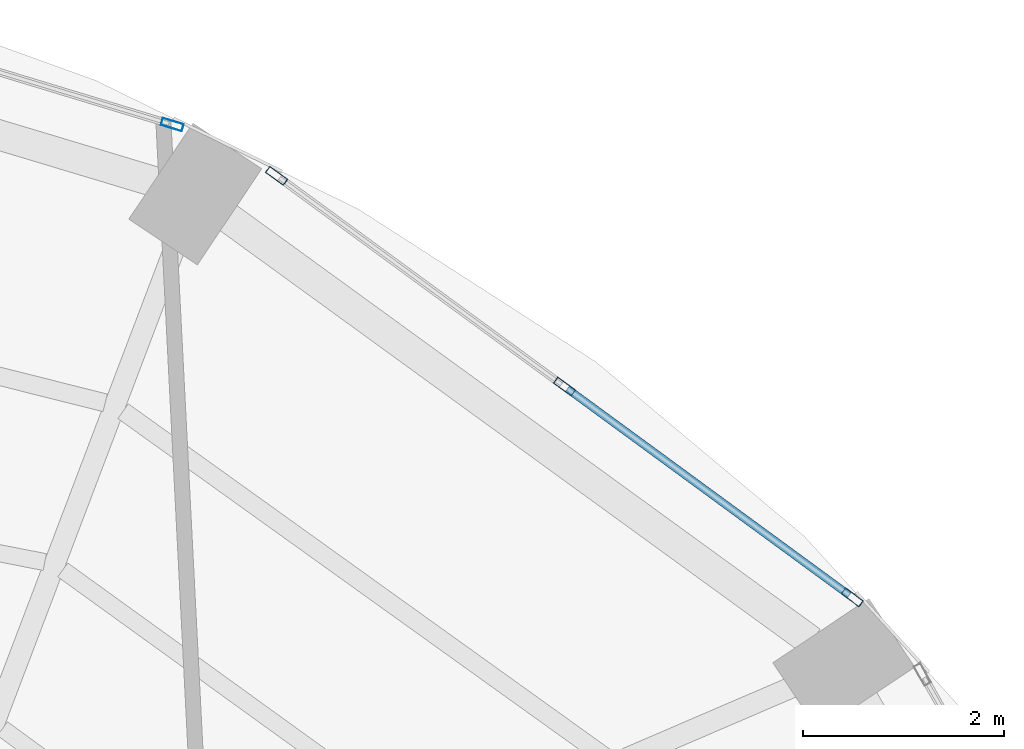
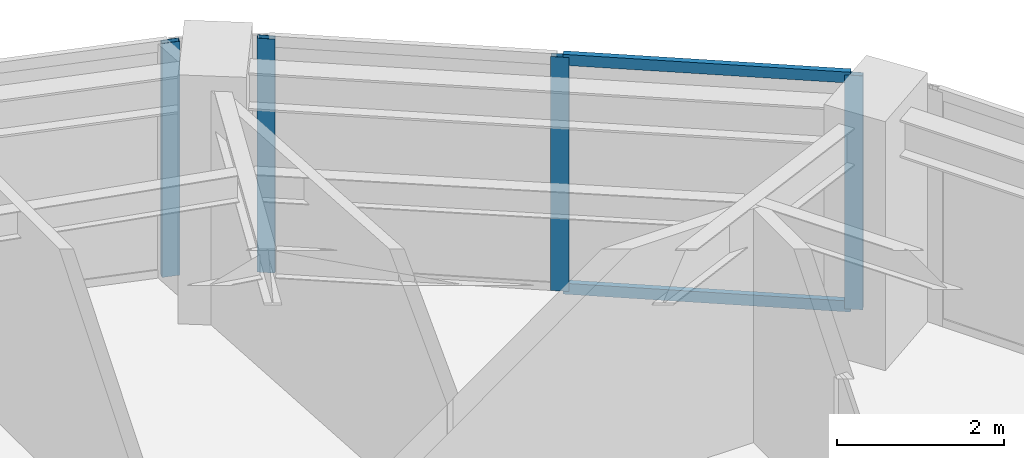
# One storey, part 14 of 20: 6 members, 2 elements without a shape of their own.
"""IFC4 building model written with IfcOpenShell, lengths in metres."""

import ifcopenshell
import ifcopenshell.guid

model = None  # the IFC model being written
_history = None  # IfcOwnerHistory: only IFC2X3 demands one
_inside = {}  # id of a spatial element -> (the spatial element, [elements in it])
_under = {}  # id of a project, library or spatial element -> (it, [spatial elements below it])
_declared = {}  # id of a project -> (the project, [libraries it declares])
_typed = {}  # id of a type object -> (the type object, [elements of that type])
_made_of = {}  # id of a material, layer set ... -> (it, [elements and type objects made of it])


def new_model(schema):
    """Start an empty IFC model of exactly this schema.

    Asked for "IFC4X3", IfcOpenShell would pick the latest addendum, in which some entities
    have other attributes; the version numbers below select the first issue.
    IFC2X3 requires an IfcOwnerHistory on every rooted entity: one is made here for all.
    """
    global model, _history
    if schema == "IFC4X3":
        model = ifcopenshell.file(schema_version=(4, 3, 0, 0))
    else:
        model = ifcopenshell.file(schema=schema)
    _inside.clear()
    _under.clear()
    _declared.clear()
    _typed.clear()
    _made_of.clear()
    _history = None
    if model.schema == "IFC2X3":
        org = make("IfcOrganization", Name="unknown")
        user = make(
            "IfcPersonAndOrganization",
            ThePerson=make("IfcPerson", FamilyName="unknown"),
            TheOrganization=org,
        )
        app = make(
            "IfcApplication",
            ApplicationDeveloper=org,
            Version="unknown",
            ApplicationFullName="unknown",
            ApplicationIdentifier="unknown",
        )
        _history = make(
            "IfcOwnerHistory",
            OwningUser=user,
            OwningApplication=app,
            ChangeAction="ADDED",
            CreationDate=0,
        )
    return model


def make(cls, **values):
    """One entity of the class cls with the attributes given. An attribute that is None is left unset."""
    return model.create_entity(
        cls, **{name: value for name, value in values.items() if value is not None}
    )


def rooted(cls, **values):
    """An entity with a GlobalId (a new one), such as an element, a storey or a relation."""
    return make(cls, GlobalId=ifcopenshell.guid.new(), OwnerHistory=_history, **values)


def si_unit(unit_type, name, prefix=None):
    """IfcSIUnit, for example si_unit("LENGTHUNIT", "METRE", prefix="MILLI")."""
    return make("IfcSIUnit", UnitType=unit_type, Prefix=prefix, Name=name)


def assignment(units):
    """IfcUnitAssignment: the units of a project."""
    return None if units is None else make("IfcUnitAssignment", Units=units)


def point(xyz):
    """IfcCartesianPoint."""
    return None if xyz is None else make("IfcCartesianPoint", Coordinates=xyz)


def direction(xyz):
    """IfcDirection."""
    return None if xyz is None else make("IfcDirection", DirectionRatios=xyz)


def frame(location, z_axis=None, x_axis=None):
    """IfcAxis2Placement3D, a coordinate frame: its origin and axes. An axis left out is left unset."""
    return make(
        "IfcAxis2Placement3D",
        Location=point(location),
        Axis=direction(z_axis),
        RefDirection=direction(x_axis),
    )


def frame_2d(location, x_axis=None):
    """IfcAxis2Placement2D, a coordinate frame in the plane: its origin and x axis."""
    return make(
        "IfcAxis2Placement2D", Location=point(location), RefDirection=direction(x_axis)
    )


def origin():
    """The frame at (0, 0, 0) with its axes left unset."""
    return frame((0.0, 0.0, 0.0))


def origin_2d():
    """The frame at (0, 0) in the plane with its x axis left unset."""
    return frame_2d((0.0, 0.0))


def place(relative_to, where):
    """IfcLocalPlacement: puts the frame where relative to a parent placement (None: the world)."""
    return make(
        "IfcLocalPlacement", PlacementRelTo=relative_to, RelativePlacement=where
    )


def context(
    kind, dimensions, precision=None, world=None, true_north=None, identifier=None
):
    """IfcGeometricRepresentationContext, for example the 3D "Model" context."""
    return make(
        "IfcGeometricRepresentationContext",
        ContextIdentifier=identifier,
        ContextType=kind,
        CoordinateSpaceDimension=dimensions,
        Precision=precision,
        WorldCoordinateSystem=world,
        TrueNorth=true_north,
    )


def subcontext(parent, identifier, kind, view, scale=None):
    """IfcGeometricRepresentationSubContext, for example "Body" below "Model"."""
    return make(
        "IfcGeometricRepresentationSubContext",
        ContextIdentifier=identifier,
        ContextType=kind,
        ParentContext=parent,
        TargetScale=scale,
        TargetView=view,
    )


def project(units=None, contexts=None):
    """IfcProject with its units and contexts."""
    return rooted(
        "IfcProject",
        Name="project",
        RepresentationContexts=contexts,
        UnitsInContext=assignment(units),
    )


def spatial(cls, under=None, at=None, **own):
    """A site, building, storey or space (cls), placed at a placement, below another one or the project."""
    s = rooted(cls, ObjectPlacement=at, **own)
    if under is not None:
        _under.setdefault(under.id(), (under, []))[1].append(s)
    return s


def profile(cls, at=None, kind="AREA", **sizes):
    """A parametric profile (cls). Its sizes go by their IFC names, for example OverallWidth=200.0."""
    return make(cls, ProfileType=kind, Position=at, **sizes)


def hollow_rectangle(**sizes):
    """IfcRectangleHollowProfileDef."""
    return profile("IfcRectangleHollowProfileDef", **sizes)


def extrude(swept, where, along, depth):
    """IfcExtrudedAreaSolid: the profile swept, set in the frame where, extruded along a direction by depth."""
    return make(
        "IfcExtrudedAreaSolid",
        SweptArea=swept,
        Position=where,
        ExtrudedDirection=direction(along),
        Depth=depth,
    )


def shape(context_of_items, identifier, shape_type, items):
    """IfcShapeRepresentation: the items that make up one representation, for example the "Body"."""
    return make(
        "IfcShapeRepresentation",
        ContextOfItems=context_of_items,
        RepresentationIdentifier=identifier,
        RepresentationType=shape_type,
        Items=items,
    )


def material(Name=None, Category=None):
    """IfcMaterial."""
    return make("IfcMaterial", Name=Name, Category=Category)


def layer(
    of_material, thickness, ventilated=None, Name=None, Category=None, Priority=None
):
    """IfcMaterialLayer: one layer of a wall or slab, of a material (None: an air gap)."""
    return make(
        "IfcMaterialLayer",
        Material=of_material,
        LayerThickness=thickness,
        IsVentilated=ventilated,
        Name=Name,
        Category=Category,
        Priority=Priority,
    )


def layer_set(layers, Name=None):
    """IfcMaterialLayerSet."""
    return make("IfcMaterialLayerSet", MaterialLayers=layers, LayerSetName=Name)


def material_profile(
    of_material, cross_section, Name=None, Category=None, Priority=None
):
    """IfcMaterialProfile: a cross section and its material."""
    return make(
        "IfcMaterialProfile",
        Name=Name,
        Material=of_material,
        Profile=cross_section,
        Priority=Priority,
        Category=Category,
    )


def profile_set(profiles, Name=None, composite=None):
    """IfcMaterialProfileSet."""
    return make(
        "IfcMaterialProfileSet",
        Name=Name,
        MaterialProfiles=profiles,
        CompositeProfile=composite,
    )


def made_of(thing, what):
    """Note that an element or type object is made of a material, layer set ...; save() writes the relation."""
    if what is not None:
        _made_of.setdefault(what.id(), (what, []))[1].append(thing)
    return thing


def type_object(cls, material=None, **own):
    """A type object (cls), such as IfcWallType, which elements share."""
    return made_of(rooted(cls, **own), material)


def element(
    cls,
    number,
    at=None,
    inside=None,
    cuts=None,
    type_object=None,
    material=None,
    context=None,
    identifier="Body",
    shape_type=None,
    held_by="IfcProductDefinitionShape",
    body=None,
    shapes=None,
    **own,
):
    """One element of the class cls, such as IfcWall. Its Tag is "e" and its number.

    at: its placement. inside: the storey or other place that contains it. cuts: it is an
    opening in that element (IfcRelVoidsElement). A single representation is given by context,
    identifier, shape_type and body (its items); several are given by shapes. held_by: the class
    of the entity that holds the representations. save() writes the other relations.
    """
    e = rooted(cls, Tag="e%d" % number, ObjectPlacement=at, **own)
    if body is not None:
        shapes = [shape(context, identifier, shape_type, body)]
    if shapes is not None:
        e.Representation = make(held_by, Representations=shapes)
    if inside is not None:
        _inside.setdefault(inside.id(), (inside, []))[1].append(e)
    if cuts is not None:
        rooted(
            "IfcRelVoidsElement", RelatingBuildingElement=cuts, RelatedOpeningElement=e
        )
    if type_object is not None:
        _typed.setdefault(type_object.id(), (type_object, []))[1].append(e)
    return made_of(e, material)


def aggregate(whole, parts):
    """IfcRelAggregates: a whole, such as a stair, and the parts it consists of."""
    return rooted("IfcRelAggregates", RelatingObject=whole, RelatedObjects=parts)


def save(model, path):
    """Write the relations noted so far, then the file.

    IfcRelAggregates (storeys below a building ...), IfcRelContainedInSpatialStructure (elements
    in a storey), IfcRelDefinesByType, IfcRelAssociatesMaterial and IfcRelDeclares: one each for
    every whole, place, type object, material and project.
    """
    for whole, parts in _under.values():
        aggregate(whole, parts)
    for where, things in _inside.values():
        rooted(
            "IfcRelContainedInSpatialStructure",
            RelatedElements=things,
            RelatingStructure=where,
        )
    for kind, things in _typed.values():
        rooted("IfcRelDefinesByType", RelatedObjects=things, RelatingType=kind)
    for what, things in _made_of.values():
        rooted("IfcRelAssociatesMaterial", RelatedObjects=things, RelatingMaterial=what)
    for by, libraries in _declared.values():
        rooted("IfcRelDeclares", RelatingContext=by, RelatedDefinitions=libraries)
    model.write(path)


model = new_model("IFC4")

# Units and contexts
model_context = context("Model", 3, precision=1e-05, world=origin(), true_north=direction((0.0, 1.0)))
body_context = subcontext(model_context, "Body", "Model", "MODEL_VIEW")
ifc_project = project(units=[si_unit("LENGTHUNIT", "METRE"), si_unit("AREAUNIT", "SQUARE_METRE"), si_unit("VOLUMEUNIT", "CUBIC_METRE"), si_unit("PLANEANGLEUNIT", "RADIAN"), si_unit("MASSUNIT", "GRAM", prefix="KILO")], contexts=[model_context])

# Site, building, storey
site_placement = place(None, origin())
site = spatial("IfcSite", under=ifc_project, at=site_placement, CompositionType="ELEMENT")
building_placement = place(site_placement, origin())
building = spatial("IfcBuilding", under=site, at=building_placement, Name="Lazwardi Medical Tower", CompositionType="ELEMENT")
storey_placement = place(building_placement, frame((0.0, 0.0, 160.176025390625)))
storey = spatial("IfcBuildingStorey", under=building, at=storey_placement, Name="L41", CompositionType="ELEMENT", Elevation=160.176025390625)

# Curtain wall, members
ifc_material_1 = material(Name="Anodised bronze aluminium and solar control glazing", Category="aluminium")
ifc_layer = layer(ifc_material_1, 0.195068359375)
ifc_layer_set = layer_set([ifc_layer], Name="Anodised bronze aluminium and solar control glazing")
curtain_wall_type = type_object("IfcCurtainWallType", Name="CW-SYS-03", PredefinedType="NOTDEFINED", material=ifc_layer_set)
curtain_wall_1_placement = place(storey_placement, origin())
curtain_wall_1 = element("IfcCurtainWall", 1, at=curtain_wall_1_placement, inside=storey, type_object=curtain_wall_type, Name="L41 Unitised bronze curtain wall CW-03", PredefinedType="NOTDEFINED")
ifc_material_2 = material(Name="Anodised bronze aluminium", Category="aluminium")
ifc_material_profile_1 = material_profile(ifc_material_2, hollow_rectangle(XDim=0.074951171875, YDim=0.219970703125, WallThickness=0.00390625, at=origin_2d()), Name="ALU-MULLION 220x75x4")
ifc_profile_set_1 = profile_set([ifc_material_profile_1], Name="Anodised bronze aluminium")
member_type_1 = type_object("IfcMemberType", Name="CW-MUL-01", PredefinedType="MULLION", material=ifc_profile_set_1)
member_1_placement = place(storey_placement, frame((55.519775390625, 40.5029296875, 0.0), z_axis=(0.0, 0.0, 1.0), x_axis=(-0.590833862635, -0.806793249082, 0.0)))
member_1 = element("IfcMember", 2, at=member_1_placement, type_object=member_type_1, Name="CW-03 mullion 1", PredefinedType="MULLION", context=body_context, shape_type="SweptSolid", body=[
    extrude(hollow_rectangle(XDim=0.074951171875, YDim=0.219970703125, WallThickness=0.00390625, at=origin_2d()), origin(), (0.0, 0.0, 1.0), 3.427978515625),
])
member_2_placement = place(storey_placement, frame((52.65771484375, 42.598876953125, 0.0), z_axis=(0.0, 0.0, 1.0), x_axis=(-0.590833862635, -0.806793249082, 0.0)))
member_2 = element("IfcMember", 3, at=member_2_placement, type_object=member_type_1, Name="CW-03 mullion 2", PredefinedType="MULLION", context=body_context, shape_type="SweptSolid", body=[
    extrude(hollow_rectangle(XDim=0.074951171875, YDim=0.219970703125, WallThickness=0.00390625, at=origin_2d()), origin(), (0.0, 0.0, 1.0), 3.427978515625),
])
member_3_placement = place(storey_placement, frame((49.795654296875, 44.69482421875, 0.0), z_axis=(0.0, 0.0, 1.0), x_axis=(-0.590833862635, -0.806793249082, 0.0)))
member_3 = element("IfcMember", 4, at=member_3_placement, type_object=member_type_1, Name="CW-03 mullion 3", PredefinedType="MULLION", context=body_context, shape_type="SweptSolid", body=[
    extrude(hollow_rectangle(XDim=0.074951171875, YDim=0.219970703125, WallThickness=0.00390625, at=origin_2d()), origin(), (0.0, 0.0, 1.0), 3.427978515625),
])

# Curtain wall, member
curtain_wall_2_placement = place(storey_placement, origin())
curtain_wall_2 = element("IfcCurtainWall", 5, at=curtain_wall_2_placement, inside=storey, type_object=curtain_wall_type, Name="L41 Unitised bronze curtain wall CW-03", PredefinedType="NOTDEFINED")
member_4_placement = place(storey_placement, frame((48.758056640625, 45.203369140625, 0.0), z_axis=(0.0, 0.0, 1.0), x_axis=(-0.290280785441, -0.956941516292, 0.0)))
member_4 = element("IfcMember", 6, at=member_4_placement, type_object=member_type_1, Name="CW-03 mullion 1", PredefinedType="MULLION", context=body_context, shape_type="SweptSolid", body=[
    extrude(hollow_rectangle(XDim=0.074951171875, YDim=0.219970703125, WallThickness=0.00390625, at=origin_2d()), origin(), (0.0, 0.0, 1.0), 3.427978515625),
])
aggregate(curtain_wall_2, [member_4])

# Member
ifc_material_profile_2 = material_profile(ifc_material_2, hollow_rectangle(XDim=0.074951171875, YDim=0.159912109375, WallThickness=0.00390625, at=origin_2d()), Name="ALU-TRANSOM 160x75x4")
ifc_profile_set_2 = profile_set([ifc_material_profile_2], Name="Anodised bronze aluminium")
member_type_2 = type_object("IfcMemberType", Name="CW-TRN-01", PredefinedType="USERDEFINED", material=ifc_profile_set_2)
member_5_placement = place(storey_placement, frame((55.489501953125, 40.525146484375, 0.037353515625), z_axis=(-0.806807161185, 0.590814864962, 0.0), x_axis=(-0.590814864962, -0.806807161185, 0.0)))
member_5 = element("IfcMember", 7, at=member_5_placement, type_object=member_type_2, Name="CW-03 transom 1.1", ObjectType="TRANSOM", PredefinedType="USERDEFINED", context=body_context, shape_type="SweptSolid", body=[
    extrude(hollow_rectangle(XDim=0.074951171875, YDim=0.159912109375, WallThickness=0.00390625, at=origin_2d()), origin(), (0.0, 0.0, 1.0), 3.472412109375),
])

member_6_placement = place(storey_placement, frame((55.489501953125, 40.525146484375, 3.390380859375), z_axis=(-0.806807161185, 0.590814864962, 0.0), x_axis=(-0.590814864962, -0.806807161185, 0.0)))
member_6 = element("IfcMember", 8, at=member_6_placement, type_object=member_type_2, Name="CW-03 transom 1.2", ObjectType="TRANSOM", PredefinedType="USERDEFINED", context=body_context, shape_type="SweptSolid", body=[
    extrude(hollow_rectangle(XDim=0.074951171875, YDim=0.159912109375, WallThickness=0.00390625, at=origin_2d()), origin(), (0.0, 0.0, 1.0), 3.472412109375),
])

aggregate(curtain_wall_1, [member_1, member_2, member_3, member_5, member_6])

save(model, "model.ifc")
